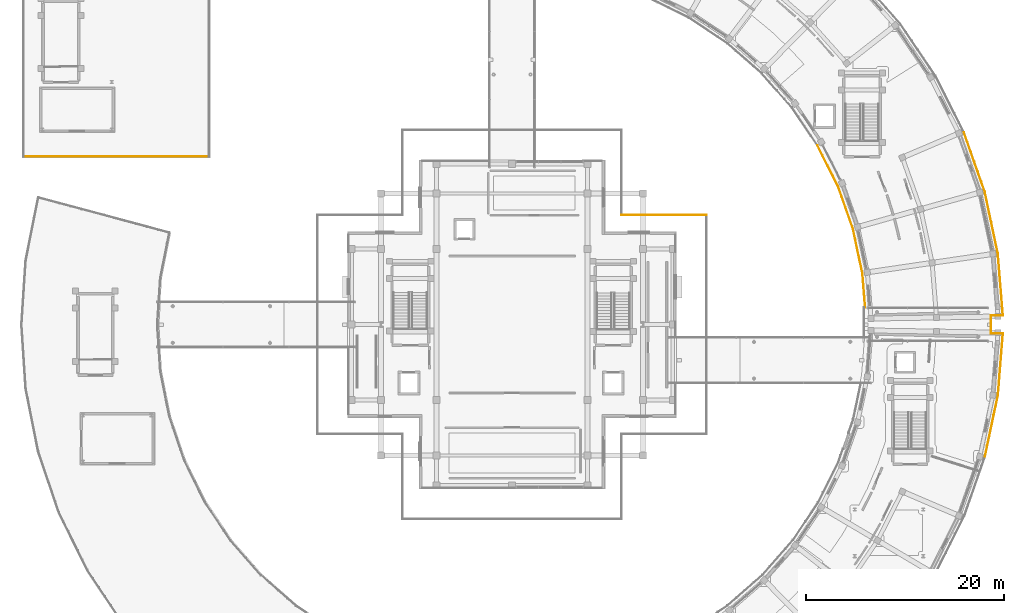
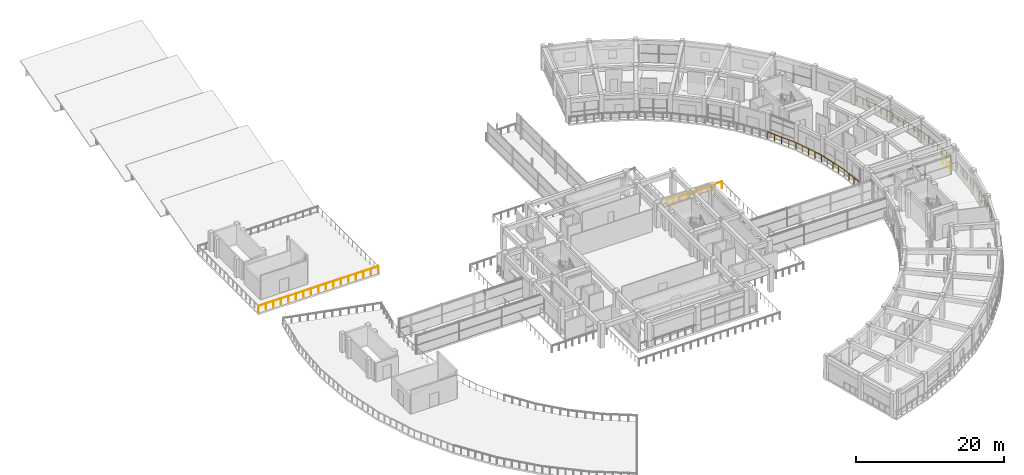
# One storey, part 49 of 53: 14 railings.
"""IFC4 building model written with IfcOpenShell, lengths in metres."""

from ifc_helpers import new_model, si_unit, direction, frame, origin, origin_2d, place, context, subcontext, project, spatial, rectangle, extrude, material, layer, layer_set, type_object, element, save


model = new_model("IFC4")

# Units and contexts
model_context = context("Model", 3, precision=1e-05, world=origin(), true_north=direction((0.0, 1.0)))
body_context = subcontext(model_context, "Body", "Model", "MODEL_VIEW")
ifc_project = project(units=[si_unit("LENGTHUNIT", "METRE"), si_unit("AREAUNIT", "SQUARE_METRE"), si_unit("VOLUMEUNIT", "CUBIC_METRE"), si_unit("PLANEANGLEUNIT", "RADIAN"), si_unit("MASSUNIT", "GRAM", prefix="KILO")], contexts=[model_context])

# Site, building, storey
site_placement = place(None, origin())
site = spatial("IfcSite", under=ifc_project, at=site_placement, CompositionType="ELEMENT")
building_placement = place(site_placement, origin())
building = spatial("IfcBuilding", under=site, at=building_placement, Name="Saryqyr Civic Hall", CompositionType="ELEMENT")
storey_placement = place(building_placement, frame((0.0, 0.0, 21.300048828125)))
storey = spatial("IfcBuildingStorey", under=building, at=storey_placement, Name="L05", CompositionType="ELEMENT", Elevation=21.300048828125)

# Railings
ifc_material_1 = material(Name="Stainless steel and laminated glass", Category="steel")
ifc_layer_1 = layer(ifc_material_1, 0.06005859375, Name="Stainless steel and laminated glass")
ifc_layer_set_1 = layer_set([ifc_layer_1], Name="Stainless steel and laminated glass")
railing_type_1 = type_object("IfcRailingType", Name="ENV-RLG-BAL-1100", PredefinedType="BALUSTRADE", material=ifc_layer_set_1)
railing_1_placement = place(storey_placement, frame((76.6201171875, 95.02001953125, 0.0)))
element("IfcRailing", 1, at=railing_1_placement, inside=storey, type_object=railing_type_1, Name="Perimeter safety balustrade V1-STEPG-L05-G05", PredefinedType="BALUSTRADE", context=body_context, shape_type="SweptSolid", body=[
    extrude(rectangle(XDim=0.048095703125, YDim=0.048095703125, at=origin_2d()), frame((0.0, 0.0, 1.076171875), z_axis=(-1.0, 0.0, 0.0), x_axis=(0.0, -1.0, 0.0)), (0.0, 0.0, 1.0), 8.60009765625),
    extrude(rectangle(XDim=0.0419921875, YDim=0.0419921875, at=origin_2d()), origin(), (0.0, 0.0, 1.0), 1.052001953125),
    extrude(rectangle(XDim=0.0419921875, YDim=0.0419921875, at=origin_2d()), frame((-1.074951171875, 0.0, 0.0)), (0.0, 0.0, 1.0), 1.052001953125),
    extrude(rectangle(XDim=0.0419921875, YDim=0.0419921875, at=origin_2d()), frame((-2.14990234375, 0.0, 0.0)), (0.0, 0.0, 1.0), 1.052001953125),
    extrude(rectangle(XDim=0.0419921875, YDim=0.0419921875, at=origin_2d()), frame((-3.22509765625, 0.0, 0.0)), (0.0, 0.0, 1.0), 1.052001953125),
    extrude(rectangle(XDim=0.0419921875, YDim=0.0419921875, at=origin_2d()), frame((-4.300048828125, 0.0, 0.0)), (0.0, 0.0, 1.0), 1.052001953125),
    extrude(rectangle(XDim=0.0419921875, YDim=0.0419921875, at=origin_2d()), frame((-5.375, 0.0, 0.0)), (0.0, 0.0, 1.0), 1.052001953125),
    extrude(rectangle(XDim=0.0419921875, YDim=0.0419921875, at=origin_2d()), frame((-6.4501953125, 0.0, 0.0)), (0.0, 0.0, 1.0), 1.052001953125),
    extrude(rectangle(XDim=0.0419921875, YDim=0.0419921875, at=origin_2d()), frame((-7.525146484375, 0.0, 0.0)), (0.0, 0.0, 1.0), 1.052001953125),
    extrude(rectangle(XDim=0.0419921875, YDim=0.0419921875, at=origin_2d()), frame((-8.60009765625, 0.0, 0.0)), (0.0, 0.0, 1.0), 1.052001953125),
])
railing_2_placement = place(storey_placement, frame((7.760009765625, 100.9599609375, 0.0)))
element("IfcRailing", 2, at=railing_2_placement, inside=storey, type_object=railing_type_1, Name="Perimeter safety balustrade V3-RG-L05-G01", PredefinedType="BALUSTRADE", context=body_context, shape_type="SweptSolid", body=[
    extrude(rectangle(XDim=0.048095703125, YDim=0.048095703125, at=origin_2d()), frame((0.0, 0.0, 1.076171875), z_axis=(1.0, 0.0, 0.0), x_axis=(0.0, 1.0, 0.0)), (0.0, 0.0, 1.0), 18.679931640625),
    extrude(rectangle(XDim=0.0419921875, YDim=0.0419921875, at=origin_2d()), origin(), (0.0, 0.0, 1.0), 1.052001953125),
    extrude(rectangle(XDim=0.0419921875, YDim=0.0419921875, at=origin_2d()), frame((1.16748046875, 0.0, 0.0)), (0.0, 0.0, 1.0), 1.052001953125),
    extrude(rectangle(XDim=0.0419921875, YDim=0.0419921875, at=origin_2d()), frame((2.3349609375, 0.0, 0.0)), (0.0, 0.0, 1.0), 1.052001953125),
    extrude(rectangle(XDim=0.0419921875, YDim=0.0419921875, at=origin_2d()), frame((3.50244140625, 0.0, 0.0)), (0.0, 0.0, 1.0), 1.052001953125),
    extrude(rectangle(XDim=0.0419921875, YDim=0.0419921875, at=origin_2d()), frame((4.669921875, 0.0, 0.0)), (0.0, 0.0, 1.0), 1.052001953125),
    extrude(rectangle(XDim=0.0419921875, YDim=0.0419921875, at=origin_2d()), frame((5.83740234375, 0.0, 0.0)), (0.0, 0.0, 1.0), 1.052001953125),
    extrude(rectangle(XDim=0.0419921875, YDim=0.0419921875, at=origin_2d()), frame((7.0048828125, 0.0, 0.0)), (0.0, 0.0, 1.0), 1.052001953125),
    extrude(rectangle(XDim=0.0419921875, YDim=0.0419921875, at=origin_2d()), frame((8.17236328125, 0.0, 0.0)), (0.0, 0.0, 1.0), 1.052001953125),
    extrude(rectangle(XDim=0.0419921875, YDim=0.0419921875, at=origin_2d()), frame((9.33984375, 0.0, 0.0)), (0.0, 0.0, 1.0), 1.052001953125),
    extrude(rectangle(XDim=0.0419921875, YDim=0.0419921875, at=origin_2d()), frame((10.507568359375, 0.0, 0.0)), (0.0, 0.0, 1.0), 1.052001953125),
    extrude(rectangle(XDim=0.0419921875, YDim=0.0419921875, at=origin_2d()), frame((11.675048828125, 0.0, 0.0)), (0.0, 0.0, 1.0), 1.052001953125),
    extrude(rectangle(XDim=0.0419921875, YDim=0.0419921875, at=origin_2d()), frame((12.842529296875, 0.0, 0.0)), (0.0, 0.0, 1.0), 1.052001953125),
    extrude(rectangle(XDim=0.0419921875, YDim=0.0419921875, at=origin_2d()), frame((14.010009765625, 0.0, 0.0)), (0.0, 0.0, 1.0), 1.052001953125),
    extrude(rectangle(XDim=0.0419921875, YDim=0.0419921875, at=origin_2d()), frame((15.177490234375, 0.0, 0.0)), (0.0, 0.0, 1.0), 1.052001953125),
    extrude(rectangle(XDim=0.0419921875, YDim=0.0419921875, at=origin_2d()), frame((16.344970703125, 0.0, 0.0)), (0.0, 0.0, 1.0), 1.052001953125),
    extrude(rectangle(XDim=0.0419921875, YDim=0.0419921875, at=origin_2d()), frame((17.512451171875, 0.0, 0.0)), (0.0, 0.0, 1.0), 1.052001953125),
    extrude(rectangle(XDim=0.0419921875, YDim=0.0419921875, at=origin_2d()), frame((18.679931640625, 0.0, 0.0)), (0.0, 0.0, 1.0), 1.052001953125),
])
ifc_material_2 = material(Name="Warm brushed brass and laminated glass", Category="glass")
ifc_layer_2 = layer(ifc_material_2, 0.06005859375, Name="Warm brushed brass and laminated glass")
ifc_layer_set_2 = layer_set([ifc_layer_2], Name="Warm brushed brass and laminated glass")
railing_type_2 = type_object("IfcRailingType", Name="INT-RLG-BAL-1100", PredefinedType="BALUSTRADE", material=ifc_layer_set_2)
railing_3_placement = place(storey_placement, frame((92.60546875, 85.699951171875, 0.0)))
element("IfcRailing", 3, at=railing_3_placement, inside=storey, type_object=railing_type_2, Name="Interior deck safety balustrade L05-010", PredefinedType="BALUSTRADE", context=body_context, shape_type="SweptSolid", body=[
    extrude(rectangle(XDim=0.048095703125, YDim=0.048095703125, at=origin_2d()), frame((0.0, 0.0, 1.09619140625), z_axis=(-0.080753594391, 0.99673409543, 0.0), x_axis=(-0.99673409543, -0.080753594391, 0.0)), (0.0, 0.0, 1.0), 3.4736328125),
    extrude(rectangle(XDim=0.0419921875, YDim=0.0419921875, at=origin_2d()), origin(), (0.0, 0.0, 1.0), 1.072021484375),
    extrude(rectangle(XDim=0.0419921875, YDim=0.0419921875, at=origin_2d()), frame((-0.093505859375, 1.154052734375, 0.0)), (0.0, 0.0, 1.0), 1.072021484375),
    extrude(rectangle(XDim=0.0419921875, YDim=0.0419921875, at=origin_2d()), frame((-0.18701171875, 2.308349609375, 0.0)), (0.0, 0.0, 1.0), 1.072021484375),
    extrude(rectangle(XDim=0.0419921875, YDim=0.0419921875, at=origin_2d()), frame((-0.280517578125, 3.46240234375, 0.0)), (0.0, 0.0, 1.0), 1.072021484375),
])
railing_4_placement = place(storey_placement, frame((92.324951171875, 89.162353515625, 0.0)))
element("IfcRailing", 4, at=railing_4_placement, inside=storey, type_object=railing_type_2, Name="Interior deck safety balustrade L05-011", PredefinedType="BALUSTRADE", context=body_context, shape_type="SweptSolid", body=[
    extrude(rectangle(XDim=0.048095703125, YDim=0.048095703125, at=origin_2d()), frame((0.0, 0.0, 1.09619140625), z_axis=(-0.207856208743, 0.978159392168, 0.0), x_axis=(-0.978159392168, -0.207856208743, 0.0)), (0.0, 0.0, 1.0), 4.58544921875),
    extrude(rectangle(XDim=0.0419921875, YDim=0.0419921875, at=origin_2d()), origin(), (0.0, 0.0, 1.0), 1.072021484375),
    extrude(rectangle(XDim=0.0419921875, YDim=0.0419921875, at=origin_2d()), frame((-0.23828125, 1.121337890625, 0.0)), (0.0, 0.0, 1.0), 1.072021484375),
    extrude(rectangle(XDim=0.0419921875, YDim=0.0419921875, at=origin_2d()), frame((-0.4765625, 2.24267578125, 0.0)), (0.0, 0.0, 1.0), 1.072021484375),
    extrude(rectangle(XDim=0.0419921875, YDim=0.0419921875, at=origin_2d()), frame((-0.71484375, 3.364013671875, 0.0)), (0.0, 0.0, 1.0), 1.072021484375),
    extrude(rectangle(XDim=0.0419921875, YDim=0.0419921875, at=origin_2d()), frame((-0.953125, 4.4853515625, 0.0)), (0.0, 0.0, 1.0), 1.072021484375),
])
railing_5_placement = place(storey_placement, frame((91.371826171875, 93.647705078125, 0.0)))
element("IfcRailing", 5, at=railing_5_placement, inside=storey, type_object=railing_type_2, Name="Interior deck safety balustrade L05-012", PredefinedType="BALUSTRADE", context=body_context, shape_type="SweptSolid", body=[
    extrude(rectangle(XDim=0.048095703125, YDim=0.048095703125, at=origin_2d()), frame((0.0, 0.0, 1.09619140625), z_axis=(-0.331505208948, 0.943453388589, 0.0), x_axis=(-0.943453388589, -0.331505208948, 0.0)), (0.0, 0.0, 1.0), 4.585205078125),
    extrude(rectangle(XDim=0.0419921875, YDim=0.0419921875, at=origin_2d()), origin(), (0.0, 0.0, 1.0), 1.072021484375),
    extrude(rectangle(XDim=0.0419921875, YDim=0.0419921875, at=origin_2d()), frame((-0.3798828125, 1.08154296875, 0.0)), (0.0, 0.0, 1.0), 1.072021484375),
    extrude(rectangle(XDim=0.0419921875, YDim=0.0419921875, at=origin_2d()), frame((-0.760009765625, 2.1630859375, 0.0)), (0.0, 0.0, 1.0), 1.072021484375),
    extrude(rectangle(XDim=0.0419921875, YDim=0.0419921875, at=origin_2d()), frame((-1.14013671875, 3.244384765625, 0.0)), (0.0, 0.0, 1.0), 1.072021484375),
    extrude(rectangle(XDim=0.0419921875, YDim=0.0419921875, at=origin_2d()), frame((-1.52001953125, 4.325927734375, 0.0)), (0.0, 0.0, 1.0), 1.072021484375),
])
railing_6_placement = place(storey_placement, frame((89.851806640625, 97.9736328125, 0.0)))
element("IfcRailing", 6, at=railing_6_placement, inside=storey, type_object=railing_type_2, Name="Interior deck safety balustrade L05-013", PredefinedType="BALUSTRADE", context=body_context, shape_type="SweptSolid", body=[
    extrude(rectangle(XDim=0.048095703125, YDim=0.048095703125, at=origin_2d()), frame((0.0, 0.0, 1.09619140625), z_axis=(-0.449724794806, 0.893167178605, 0.0), x_axis=(-0.893167178605, -0.449724794806, 0.0)), (0.0, 0.0, 1.0), 4.585693359375),
    extrude(rectangle(XDim=0.0419921875, YDim=0.0419921875, at=origin_2d()), origin(), (0.0, 0.0, 1.0), 1.072021484375),
    extrude(rectangle(XDim=0.0419921875, YDim=0.0419921875, at=origin_2d()), frame((-0.515625, 1.02392578125, 0.0)), (0.0, 0.0, 1.0), 1.072021484375),
    extrude(rectangle(XDim=0.0419921875, YDim=0.0419921875, at=origin_2d()), frame((-1.03125, 2.0478515625, 0.0)), (0.0, 0.0, 1.0), 1.072021484375),
    extrude(rectangle(XDim=0.0419921875, YDim=0.0419921875, at=origin_2d()), frame((-1.546630859375, 3.07177734375, 0.0)), (0.0, 0.0, 1.0), 1.072021484375),
    extrude(rectangle(XDim=0.0419921875, YDim=0.0419921875, at=origin_2d()), frame((-2.062255859375, 4.095703125, 0.0)), (0.0, 0.0, 1.0), 1.072021484375),
])
railing_7_placement = place(storey_placement, frame((102.55029296875, 103.375244140625, 0.0)))
element("IfcRailing", 7, at=railing_7_placement, inside=storey, type_object=railing_type_2, Name="Interior deck safety balustrade L05-029", PredefinedType="BALUSTRADE", context=body_context, shape_type="SweptSolid", body=[
    extrude(rectangle(XDim=0.048095703125, YDim=0.048095703125, at=origin_2d()), frame((0.0, 0.0, 1.09619140625), z_axis=(0.331496156423, -0.943456569364, 0.0), x_axis=(0.943456569364, 0.331496156423, 0.0)), (0.0, 0.0, 1.0), 6.358154296875),
    extrude(rectangle(XDim=0.0419921875, YDim=0.0419921875, at=origin_2d()), origin(), (0.0, 0.0, 1.0), 1.072021484375),
    extrude(rectangle(XDim=0.0419921875, YDim=0.0419921875, at=origin_2d()), frame((0.351318359375, -0.999755859375, 0.0)), (0.0, 0.0, 1.0), 1.072021484375),
    extrude(rectangle(XDim=0.0419921875, YDim=0.0419921875, at=origin_2d()), frame((0.70263671875, -1.99951171875, 0.0)), (0.0, 0.0, 1.0), 1.072021484375),
    extrude(rectangle(XDim=0.0419921875, YDim=0.0419921875, at=origin_2d()), frame((1.0537109375, -2.999267578125, 0.0)), (0.0, 0.0, 1.0), 1.072021484375),
    extrude(rectangle(XDim=0.0419921875, YDim=0.0419921875, at=origin_2d()), frame((1.405029296875, -3.9990234375, 0.0)), (0.0, 0.0, 1.0), 1.072021484375),
    extrude(rectangle(XDim=0.0419921875, YDim=0.0419921875, at=origin_2d()), frame((1.75634765625, -4.998779296875, 0.0)), (0.0, 0.0, 1.0), 1.072021484375),
    extrude(rectangle(XDim=0.0419921875, YDim=0.0419921875, at=origin_2d()), frame((2.107666015625, -5.99853515625, 0.0)), (0.0, 0.0, 1.0), 1.072021484375),
])
railing_8_placement = place(storey_placement, frame((104.657958984375, 97.376708984375, 0.0)))
element("IfcRailing", 8, at=railing_8_placement, inside=storey, type_object=railing_type_2, Name="Interior deck safety balustrade L05-030", PredefinedType="BALUSTRADE", context=body_context, shape_type="SweptSolid", body=[
    extrude(rectangle(XDim=0.048095703125, YDim=0.048095703125, at=origin_2d()), frame((0.0, 0.0, 1.09619140625), z_axis=(0.207858296561, -0.97815894851, 0.0), x_axis=(0.97815894851, 0.207858296561, 0.0)), (0.0, 0.0, 1.0), 6.35791015625),
    extrude(rectangle(XDim=0.0419921875, YDim=0.0419921875, at=origin_2d()), origin(), (0.0, 0.0, 1.0), 1.072021484375),
    extrude(rectangle(XDim=0.0419921875, YDim=0.0419921875, at=origin_2d()), frame((0.22021484375, -1.03662109375, 0.0)), (0.0, 0.0, 1.0), 1.072021484375),
    extrude(rectangle(XDim=0.0419921875, YDim=0.0419921875, at=origin_2d()), frame((0.4404296875, -2.072998046875, 0.0)), (0.0, 0.0, 1.0), 1.072021484375),
    extrude(rectangle(XDim=0.0419921875, YDim=0.0419921875, at=origin_2d()), frame((0.66064453125, -3.109375, 0.0)), (0.0, 0.0, 1.0), 1.072021484375),
    extrude(rectangle(XDim=0.0419921875, YDim=0.0419921875, at=origin_2d()), frame((0.881103515625, -4.14599609375, 0.0)), (0.0, 0.0, 1.0), 1.072021484375),
    extrude(rectangle(XDim=0.0419921875, YDim=0.0419921875, at=origin_2d()), frame((1.101318359375, -5.1826171875, 0.0)), (0.0, 0.0, 1.0), 1.072021484375),
    extrude(rectangle(XDim=0.0419921875, YDim=0.0419921875, at=origin_2d()), frame((1.321533203125, -6.218994140625, 0.0)), (0.0, 0.0, 1.0), 1.072021484375),
])
railing_9_placement = place(storey_placement, frame((105.9794921875, 91.15771484375, 0.0)))
element("IfcRailing", 9, at=railing_9_placement, inside=storey, type_object=railing_type_2, Name="Interior deck safety balustrade L05-031", PredefinedType="BALUSTRADE", context=body_context, shape_type="SweptSolid", body=[
    extrude(rectangle(XDim=0.048095703125, YDim=0.048095703125, at=origin_2d()), frame((0.0, 0.0, 1.09619140625), z_axis=(0.080762441528, -0.996733378612, 0.0), x_axis=(0.996733378612, 0.080762441528, 0.0)), (0.0, 0.0, 1.0), 6.257568359375),
    extrude(rectangle(XDim=0.0419921875, YDim=0.0419921875, at=origin_2d()), origin(), (0.0, 0.0, 1.0), 1.072021484375),
    extrude(rectangle(XDim=0.0419921875, YDim=0.0419921875, at=origin_2d()), frame((0.084228515625, -1.03955078125, 0.0)), (0.0, 0.0, 1.0), 1.072021484375),
    extrude(rectangle(XDim=0.0419921875, YDim=0.0419921875, at=origin_2d()), frame((0.16845703125, -2.0791015625, 0.0)), (0.0, 0.0, 1.0), 1.072021484375),
    extrude(rectangle(XDim=0.0419921875, YDim=0.0419921875, at=origin_2d()), frame((0.252685546875, -3.11865234375, 0.0)), (0.0, 0.0, 1.0), 1.072021484375),
    extrude(rectangle(XDim=0.0419921875, YDim=0.0419921875, at=origin_2d()), frame((0.3369140625, -4.157958984375, 0.0)), (0.0, 0.0, 1.0), 1.072021484375),
    extrude(rectangle(XDim=0.0419921875, YDim=0.0419921875, at=origin_2d()), frame((0.421142578125, -5.197509765625, 0.0)), (0.0, 0.0, 1.0), 1.072021484375),
    extrude(rectangle(XDim=0.0419921875, YDim=0.0419921875, at=origin_2d()), frame((0.50537109375, -6.237060546875, 0.0)), (0.0, 0.0, 1.0), 1.072021484375),
])
railing_10_placement = place(storey_placement, frame((106.48486328125, 84.920654296875, 0.0)))
element("IfcRailing", 10, at=railing_10_placement, inside=storey, type_object=railing_type_2, Name="Interior deck safety balustrade L05-032", PredefinedType="BALUSTRADE", context=body_context, shape_type="SweptSolid", body=[
    extrude(rectangle(XDim=0.048095703125, YDim=0.048095703125, at=origin_2d()), frame((0.0, 0.0, 1.09619140625), z_axis=(-0.999860739249, -0.016688382419, 0.0), x_axis=(0.016688382419, -0.999860739249, 0.0)), (0.0, 0.0, 1.0), 1.18505859375),
    extrude(rectangle(XDim=0.0419921875, YDim=0.0419921875, at=origin_2d()), origin(), (0.0, 0.0, 1.0), 1.072021484375),
    extrude(rectangle(XDim=0.0419921875, YDim=0.0419921875, at=origin_2d()), frame((-1.184814453125, -0.019775390625, 0.0)), (0.0, 0.0, 1.0), 1.072021484375),
])
railing_11_placement = place(storey_placement, frame((105.300048828125, 84.90087890625, 0.0)))
element("IfcRailing", 11, at=railing_11_placement, inside=storey, type_object=railing_type_2, Name="Interior deck safety balustrade L05-033", PredefinedType="BALUSTRADE", context=body_context, shape_type="SweptSolid", body=[
    extrude(rectangle(XDim=0.048095703125, YDim=0.048095703125, at=origin_2d()), frame((0.0, 0.0, 1.09619140625), z_axis=(0.0, -1.0, 0.0), x_axis=(1.0, 0.0, 0.0)), (0.0, 0.0, 1.0), 1.8017578125),
    extrude(rectangle(XDim=0.0419921875, YDim=0.0419921875, at=origin_2d()), origin(), (0.0, 0.0, 1.0), 1.072021484375),
    extrude(rectangle(XDim=0.0419921875, YDim=0.0419921875, at=origin_2d()), frame((0.0, -0.90087890625, 0.0)), (0.0, 0.0, 1.0), 1.072021484375),
    extrude(rectangle(XDim=0.0419921875, YDim=0.0419921875, at=origin_2d()), frame((0.0, -1.8017578125, 0.0)), (0.0, 0.0, 1.0), 1.072021484375),
])
railing_12_placement = place(storey_placement, frame((105.300048828125, 83.09912109375, 0.0)))
element("IfcRailing", 12, at=railing_12_placement, inside=storey, type_object=railing_type_2, Name="Interior deck safety balustrade L05-034", PredefinedType="BALUSTRADE", context=body_context, shape_type="SweptSolid", body=[
    extrude(rectangle(XDim=0.048095703125, YDim=0.048095703125, at=origin_2d()), frame((0.0, 0.0, 1.09619140625), z_axis=(0.999860796611, -0.016684945308, 0.0), x_axis=(0.016684945308, 0.999860796611, 0.0)), (0.0, 0.0, 1.0), 1.185302734375),
    extrude(rectangle(XDim=0.0419921875, YDim=0.0419921875, at=origin_2d()), origin(), (0.0, 0.0, 1.0), 1.072021484375),
    extrude(rectangle(XDim=0.0419921875, YDim=0.0419921875, at=origin_2d()), frame((1.18505859375, -0.019775390625, 0.0)), (0.0, 0.0, 1.0), 1.072021484375),
])
railing_13_placement = place(storey_placement, frame((106.485107421875, 83.079345703125, 0.0)))
element("IfcRailing", 13, at=railing_13_placement, inside=storey, type_object=railing_type_2, Name="Interior deck safety balustrade L05-035", PredefinedType="BALUSTRADE", context=body_context, shape_type="SweptSolid", body=[
    extrude(rectangle(XDim=0.048095703125, YDim=0.048095703125, at=origin_2d()), frame((0.0, 0.0, 1.09619140625), z_axis=(-0.080309228411, -0.996769997458, 0.0), x_axis=(0.996769997458, -0.080309228411, 0.0)), (0.0, 0.0, 1.0), 6.210693359375),
    extrude(rectangle(XDim=0.0419921875, YDim=0.0419921875, at=origin_2d()), origin(), (0.0, 0.0, 1.0), 1.072021484375),
    extrude(rectangle(XDim=0.0419921875, YDim=0.0419921875, at=origin_2d()), frame((-0.0830078125, -1.03173828125, 0.0)), (0.0, 0.0, 1.0), 1.072021484375),
    extrude(rectangle(XDim=0.0419921875, YDim=0.0419921875, at=origin_2d()), frame((-0.166259765625, -2.0634765625, 0.0)), (0.0, 0.0, 1.0), 1.072021484375),
    extrude(rectangle(XDim=0.0419921875, YDim=0.0419921875, at=origin_2d()), frame((-0.24951171875, -3.09521484375, 0.0)), (0.0, 0.0, 1.0), 1.072021484375),
    extrude(rectangle(XDim=0.0419921875, YDim=0.0419921875, at=origin_2d()), frame((-0.33251953125, -4.127197265625, 0.0)), (0.0, 0.0, 1.0), 1.072021484375),
    extrude(rectangle(XDim=0.0419921875, YDim=0.0419921875, at=origin_2d()), frame((-0.41552734375, -5.158935546875, 0.0)), (0.0, 0.0, 1.0), 1.072021484375),
    extrude(rectangle(XDim=0.0419921875, YDim=0.0419921875, at=origin_2d()), frame((-0.498779296875, -6.190673828125, 0.0)), (0.0, 0.0, 1.0), 1.072021484375),
])
railing_14_placement = place(storey_placement, frame((105.986328125, 76.888671875, 0.0)))
element("IfcRailing", 14, at=railing_14_placement, inside=storey, type_object=railing_type_2, Name="Interior deck safety balustrade L05-036", PredefinedType="BALUSTRADE", context=body_context, shape_type="SweptSolid", body=[
    extrude(rectangle(XDim=0.048095703125, YDim=0.048095703125, at=origin_2d()), frame((0.0, 0.0, 1.09619140625), z_axis=(-0.206453009757, -0.978456516541, 0.0), x_axis=(0.978456516541, -0.206453009757, 0.0)), (0.0, 0.0, 1.0), 6.311279296875),
    extrude(rectangle(XDim=0.0419921875, YDim=0.0419921875, at=origin_2d()), origin(), (0.0, 0.0, 1.0), 1.072021484375),
    extrude(rectangle(XDim=0.0419921875, YDim=0.0419921875, at=origin_2d()), frame((-0.21728515625, -1.029296875, 0.0)), (0.0, 0.0, 1.0), 1.072021484375),
    extrude(rectangle(XDim=0.0419921875, YDim=0.0419921875, at=origin_2d()), frame((-0.434326171875, -2.058349609375, 0.0)), (0.0, 0.0, 1.0), 1.072021484375),
    extrude(rectangle(XDim=0.0419921875, YDim=0.0419921875, at=origin_2d()), frame((-0.6513671875, -3.087646484375, 0.0)), (0.0, 0.0, 1.0), 1.072021484375),
    extrude(rectangle(XDim=0.0419921875, YDim=0.0419921875, at=origin_2d()), frame((-0.86865234375, -4.116943359375, 0.0)), (0.0, 0.0, 1.0), 1.072021484375),
    extrude(rectangle(XDim=0.0419921875, YDim=0.0419921875, at=origin_2d()), frame((-1.0859375, -5.14599609375, 0.0)), (0.0, 0.0, 1.0), 1.072021484375),
    extrude(rectangle(XDim=0.0419921875, YDim=0.0419921875, at=origin_2d()), frame((-1.302978515625, -6.17529296875, 0.0)), (0.0, 0.0, 1.0), 1.072021484375),
])

save(model, "model.ifc")
